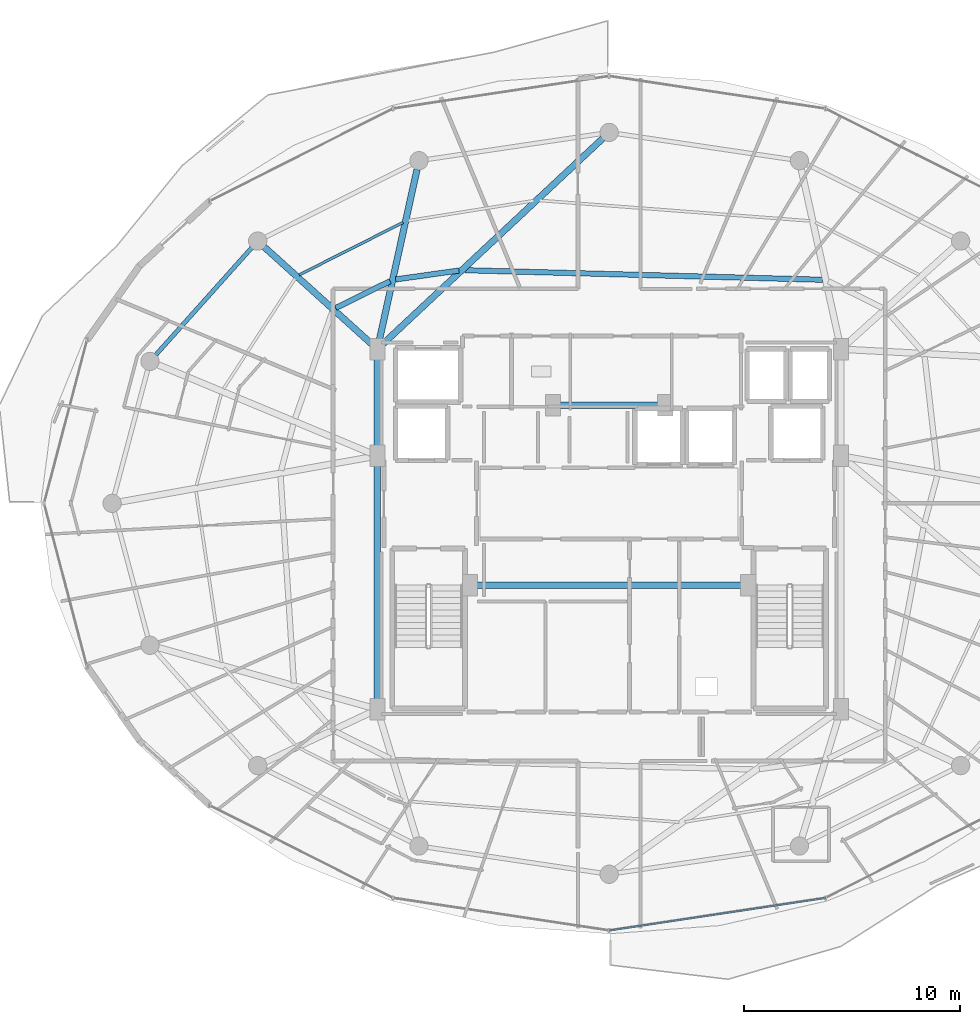
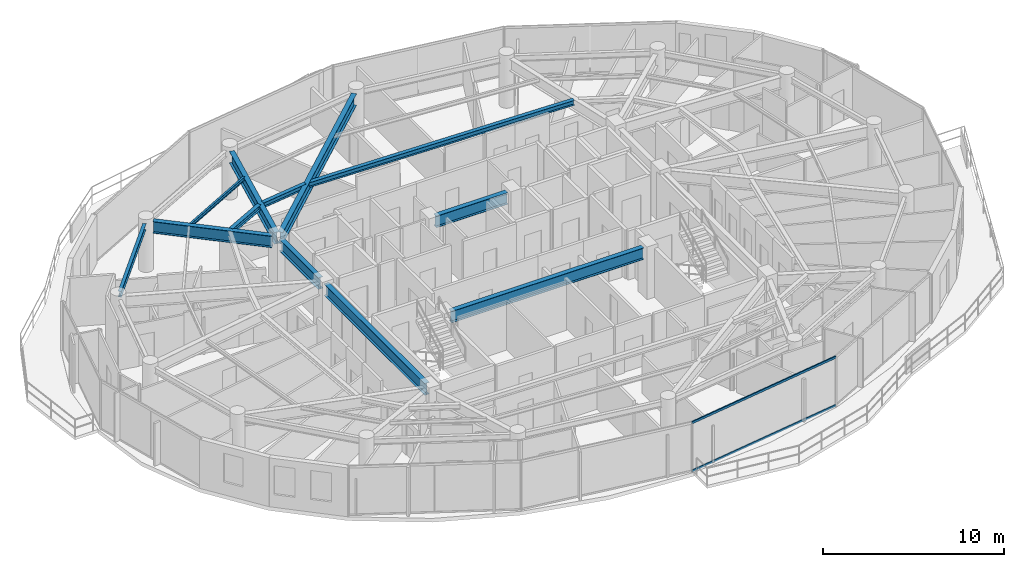
# One storey, part 9 of 30: 12 beams, 2 members, 1 element without a shape of its own.
"""IFC4 building model written with IfcOpenShell, lengths in metres."""

import ifcopenshell
import ifcopenshell.guid

model = None  # the IFC model being written
_history = None  # IfcOwnerHistory: only IFC2X3 demands one
_inside = {}  # id of a spatial element -> (the spatial element, [elements in it])
_under = {}  # id of a project, library or spatial element -> (it, [spatial elements below it])
_declared = {}  # id of a project -> (the project, [libraries it declares])
_typed = {}  # id of a type object -> (the type object, [elements of that type])
_made_of = {}  # id of a material, layer set ... -> (it, [elements and type objects made of it])


def new_model(schema):
    """Start an empty IFC model of exactly this schema.

    Asked for "IFC4X3", IfcOpenShell would pick the latest addendum, in which some entities
    have other attributes; the version numbers below select the first issue.
    IFC2X3 requires an IfcOwnerHistory on every rooted entity: one is made here for all.
    """
    global model, _history
    if schema == "IFC4X3":
        model = ifcopenshell.file(schema_version=(4, 3, 0, 0))
    else:
        model = ifcopenshell.file(schema=schema)
    _inside.clear()
    _under.clear()
    _declared.clear()
    _typed.clear()
    _made_of.clear()
    _history = None
    if model.schema == "IFC2X3":
        org = make("IfcOrganization", Name="unknown")
        user = make(
            "IfcPersonAndOrganization",
            ThePerson=make("IfcPerson", FamilyName="unknown"),
            TheOrganization=org,
        )
        app = make(
            "IfcApplication",
            ApplicationDeveloper=org,
            Version="unknown",
            ApplicationFullName="unknown",
            ApplicationIdentifier="unknown",
        )
        _history = make(
            "IfcOwnerHistory",
            OwningUser=user,
            OwningApplication=app,
            ChangeAction="ADDED",
            CreationDate=0,
        )
    return model


def make(cls, **values):
    """One entity of the class cls with the attributes given. An attribute that is None is left unset."""
    return model.create_entity(
        cls, **{name: value for name, value in values.items() if value is not None}
    )


def rooted(cls, **values):
    """An entity with a GlobalId (a new one), such as an element, a storey or a relation."""
    return make(cls, GlobalId=ifcopenshell.guid.new(), OwnerHistory=_history, **values)


def si_unit(unit_type, name, prefix=None):
    """IfcSIUnit, for example si_unit("LENGTHUNIT", "METRE", prefix="MILLI")."""
    return make("IfcSIUnit", UnitType=unit_type, Prefix=prefix, Name=name)


def assignment(units):
    """IfcUnitAssignment: the units of a project."""
    return None if units is None else make("IfcUnitAssignment", Units=units)


def point(xyz):
    """IfcCartesianPoint."""
    return None if xyz is None else make("IfcCartesianPoint", Coordinates=xyz)


def direction(xyz):
    """IfcDirection."""
    return None if xyz is None else make("IfcDirection", DirectionRatios=xyz)


def frame(location, z_axis=None, x_axis=None):
    """IfcAxis2Placement3D, a coordinate frame: its origin and axes. An axis left out is left unset."""
    return make(
        "IfcAxis2Placement3D",
        Location=point(location),
        Axis=direction(z_axis),
        RefDirection=direction(x_axis),
    )


def frame_2d(location, x_axis=None):
    """IfcAxis2Placement2D, a coordinate frame in the plane: its origin and x axis."""
    return make(
        "IfcAxis2Placement2D", Location=point(location), RefDirection=direction(x_axis)
    )


def origin():
    """The frame at (0, 0, 0) with its axes left unset."""
    return frame((0.0, 0.0, 0.0))


def origin_2d():
    """The frame at (0, 0) in the plane with its x axis left unset."""
    return frame_2d((0.0, 0.0))


def place(relative_to, where):
    """IfcLocalPlacement: puts the frame where relative to a parent placement (None: the world)."""
    return make(
        "IfcLocalPlacement", PlacementRelTo=relative_to, RelativePlacement=where
    )


def context(
    kind, dimensions, precision=None, world=None, true_north=None, identifier=None
):
    """IfcGeometricRepresentationContext, for example the 3D "Model" context."""
    return make(
        "IfcGeometricRepresentationContext",
        ContextIdentifier=identifier,
        ContextType=kind,
        CoordinateSpaceDimension=dimensions,
        Precision=precision,
        WorldCoordinateSystem=world,
        TrueNorth=true_north,
    )


def subcontext(parent, identifier, kind, view, scale=None):
    """IfcGeometricRepresentationSubContext, for example "Body" below "Model"."""
    return make(
        "IfcGeometricRepresentationSubContext",
        ContextIdentifier=identifier,
        ContextType=kind,
        ParentContext=parent,
        TargetScale=scale,
        TargetView=view,
    )


def project(units=None, contexts=None):
    """IfcProject with its units and contexts."""
    return rooted(
        "IfcProject",
        Name="project",
        RepresentationContexts=contexts,
        UnitsInContext=assignment(units),
    )


def spatial(cls, under=None, at=None, **own):
    """A site, building, storey or space (cls), placed at a placement, below another one or the project."""
    s = rooted(cls, ObjectPlacement=at, **own)
    if under is not None:
        _under.setdefault(under.id(), (under, []))[1].append(s)
    return s


def profile(cls, at=None, kind="AREA", **sizes):
    """A parametric profile (cls). Its sizes go by their IFC names, for example OverallWidth=200.0."""
    return make(cls, ProfileType=kind, Position=at, **sizes)


def hollow_rectangle(**sizes):
    """IfcRectangleHollowProfileDef."""
    return profile("IfcRectangleHollowProfileDef", **sizes)


def i_section(**sizes):
    """IfcIShapeProfileDef."""
    return profile("IfcIShapeProfileDef", **sizes)


def extrude(swept, where, along, depth):
    """IfcExtrudedAreaSolid: the profile swept, set in the frame where, extruded along a direction by depth."""
    return make(
        "IfcExtrudedAreaSolid",
        SweptArea=swept,
        Position=where,
        ExtrudedDirection=direction(along),
        Depth=depth,
    )


def shape(context_of_items, identifier, shape_type, items):
    """IfcShapeRepresentation: the items that make up one representation, for example the "Body"."""
    return make(
        "IfcShapeRepresentation",
        ContextOfItems=context_of_items,
        RepresentationIdentifier=identifier,
        RepresentationType=shape_type,
        Items=items,
    )


def material(Name=None, Category=None):
    """IfcMaterial."""
    return make("IfcMaterial", Name=Name, Category=Category)


def material_profile(
    of_material, cross_section, Name=None, Category=None, Priority=None
):
    """IfcMaterialProfile: a cross section and its material."""
    return make(
        "IfcMaterialProfile",
        Name=Name,
        Material=of_material,
        Profile=cross_section,
        Priority=Priority,
        Category=Category,
    )


def profile_set(profiles, Name=None, composite=None):
    """IfcMaterialProfileSet."""
    return make(
        "IfcMaterialProfileSet",
        Name=Name,
        MaterialProfiles=profiles,
        CompositeProfile=composite,
    )


def made_of(thing, what):
    """Note that an element or type object is made of a material, layer set ...; save() writes the relation."""
    if what is not None:
        _made_of.setdefault(what.id(), (what, []))[1].append(thing)
    return thing


def type_object(cls, material=None, **own):
    """A type object (cls), such as IfcWallType, which elements share."""
    return made_of(rooted(cls, **own), material)


def element(
    cls,
    number,
    at=None,
    inside=None,
    cuts=None,
    type_object=None,
    material=None,
    context=None,
    identifier="Body",
    shape_type=None,
    held_by="IfcProductDefinitionShape",
    body=None,
    shapes=None,
    **own,
):
    """One element of the class cls, such as IfcWall. Its Tag is "e" and its number.

    at: its placement. inside: the storey or other place that contains it. cuts: it is an
    opening in that element (IfcRelVoidsElement). A single representation is given by context,
    identifier, shape_type and body (its items); several are given by shapes. held_by: the class
    of the entity that holds the representations. save() writes the other relations.
    """
    e = rooted(cls, Tag="e%d" % number, ObjectPlacement=at, **own)
    if body is not None:
        shapes = [shape(context, identifier, shape_type, body)]
    if shapes is not None:
        e.Representation = make(held_by, Representations=shapes)
    if inside is not None:
        _inside.setdefault(inside.id(), (inside, []))[1].append(e)
    if cuts is not None:
        rooted(
            "IfcRelVoidsElement", RelatingBuildingElement=cuts, RelatedOpeningElement=e
        )
    if type_object is not None:
        _typed.setdefault(type_object.id(), (type_object, []))[1].append(e)
    return made_of(e, material)


def aggregate(whole, parts):
    """IfcRelAggregates: a whole, such as a stair, and the parts it consists of."""
    return rooted("IfcRelAggregates", RelatingObject=whole, RelatedObjects=parts)


def save(model, path):
    """Write the relations noted so far, then the file.

    IfcRelAggregates (storeys below a building ...), IfcRelContainedInSpatialStructure (elements
    in a storey), IfcRelDefinesByType, IfcRelAssociatesMaterial and IfcRelDeclares: one each for
    every whole, place, type object, material and project.
    """
    for whole, parts in _under.values():
        aggregate(whole, parts)
    for where, things in _inside.values():
        rooted(
            "IfcRelContainedInSpatialStructure",
            RelatedElements=things,
            RelatingStructure=where,
        )
    for kind, things in _typed.values():
        rooted("IfcRelDefinesByType", RelatedObjects=things, RelatingType=kind)
    for what, things in _made_of.values():
        rooted("IfcRelAssociatesMaterial", RelatedObjects=things, RelatingMaterial=what)
    for by, libraries in _declared.values():
        rooted("IfcRelDeclares", RelatingContext=by, RelatedDefinitions=libraries)
    model.write(path)


model = new_model("IFC4")

# Units and contexts
model_context = context("Model", 3, precision=1e-05, world=origin(), true_north=direction((0.0, 1.0)))
body_context = subcontext(model_context, "Body", "Model", "MODEL_VIEW")
ifc_project = project(units=[si_unit("LENGTHUNIT", "METRE"), si_unit("AREAUNIT", "SQUARE_METRE"), si_unit("VOLUMEUNIT", "CUBIC_METRE"), si_unit("PLANEANGLEUNIT", "RADIAN"), si_unit("MASSUNIT", "GRAM", prefix="KILO")], contexts=[model_context])

# Site, building, storey
site_placement = place(None, origin())
site = spatial("IfcSite", under=ifc_project, at=site_placement, CompositionType="ELEMENT")
building_placement = place(site_placement, origin())
building = spatial("IfcBuilding", under=site, at=building_placement, Name="Vorneva Point Tower", CompositionType="ELEMENT")
storey_placement = place(building_placement, frame((0.0, 0.0, 262.64990234375)))
storey = spatial("IfcBuildingStorey", under=building, at=storey_placement, Name="L71", CompositionType="ELEMENT", Elevation=262.64990234375)

# Beams
ifc_material_1 = material(Name="Steel S355", Category="steel")
ifc_material_profile_1 = material_profile(ifc_material_1, i_section(OverallWidth=0.300048828125, OverallDepth=0.7880859375, WebThickness=0.014404296875, FlangeThickness=0.02197265625, at=origin_2d()), Name="80Sh1")
ifc_profile_set_1 = profile_set([ifc_material_profile_1], Name="Steel S355")
beam_type_1 = type_object("IfcBeamType", Name="BM-GRD-80Sh1", PredefinedType="USERDEFINED", material=ifc_profile_set_1)
beam_1_placement = place(storey_placement, frame((37.6982421875, 42.91796875, 2.89599609375), z_axis=(-0.730485790946, -0.682927894602, 0.0), x_axis=(0.682927894602, -0.730485790946, 0.0)))
element("IfcBeam", 1, at=beam_1_placement, inside=storey, type_object=beam_type_1, Name="L71 Radial Primary Girder 05", ObjectType="GIRDER", PredefinedType="USERDEFINED", context=body_context, shape_type="SweptSolid", body=[
    extrude(i_section(OverallWidth=0.300048828125, OverallDepth=0.7880859375, WebThickness=0.014404296875, FlangeThickness=0.02197265625, at=origin_2d()), origin(), (0.0, 0.0, 1.0), 13.963134765625),
])
beam_2_placement = place(storey_placement, frame((29.090087890625, 41.4873046875, 2.89599609375), z_axis=(-0.215520742957, -0.976499262342, 0.0), x_axis=(0.976499262342, -0.215520742957, 0.0)))
element("IfcBeam", 2, at=beam_2_placement, inside=storey, type_object=beam_type_1, Name="L71 Radial Primary Girder 06", ObjectType="GIRDER", PredefinedType="USERDEFINED", context=body_context, shape_type="SweptSolid", body=[
    extrude(i_section(OverallWidth=0.300048828125, OverallDepth=0.7880859375, WebThickness=0.014404296875, FlangeThickness=0.02197265625, at=origin_2d()), origin(), (0.0, 0.0, 1.0), 8.197998046875),
])
beam_3_placement = place(storey_placement, frame((22.0078125, 37.885498046875, 2.89599609375), z_axis=(0.7420671051, -0.670325601128, 0.0), x_axis=(0.670325601128, 0.7420671051, 0.0)))
element("IfcBeam", 3, at=beam_3_placement, inside=storey, type_object=beam_type_1, Name="L71 Radial Primary Girder 07", ObjectType="GIRDER", PredefinedType="USERDEFINED", context=body_context, shape_type="SweptSolid", body=[
    extrude(i_section(OverallWidth=0.300048828125, OverallDepth=0.7880859375, WebThickness=0.014404296875, FlangeThickness=0.02197265625, at=origin_2d()), origin(), (0.0, 0.0, 1.0), 6.724365234375),
])
beam_4_placement = place(storey_placement, frame((27.25, 16.77001953125, 2.89599609375), z_axis=(0.0, 1.0, 0.0), x_axis=(-1.0, 0.0, 0.0)))
element("IfcBeam", 4, at=beam_4_placement, inside=storey, type_object=beam_type_1, Name="L71 Core Tie Girder CT1", ObjectType="GIRDER", PredefinedType="USERDEFINED", context=body_context, shape_type="SweptSolid", body=[
    extrude(i_section(OverallWidth=0.300048828125, OverallDepth=0.7880859375, WebThickness=0.014404296875, FlangeThickness=0.02197265625, at=origin_2d()), origin(), (0.0, 0.0, 1.0), 11.10986328125),
])
beam_5_placement = place(storey_placement, frame((27.25, 28.52001953125, 2.89599609375), z_axis=(0.0, 1.0, 0.0), x_axis=(-1.0, 0.0, 0.0)))
element("IfcBeam", 5, at=beam_5_placement, inside=storey, type_object=beam_type_1, Name="L71 Core Tie Girder CT2", ObjectType="GIRDER", PredefinedType="USERDEFINED", context=body_context, shape_type="SweptSolid", body=[
    extrude(i_section(OverallWidth=0.300048828125, OverallDepth=0.7880859375, WebThickness=0.014404296875, FlangeThickness=0.02197265625, at=origin_2d()), origin(), (0.0, 0.0, 1.0), 4.31005859375),
])
beam_6_placement = place(storey_placement, frame((35.719970703125, 30.550048828125, 2.89599609375), z_axis=(1.0, 0.0, 0.0), x_axis=(0.0, 1.0, 0.0)))
element("IfcBeam", 6, at=beam_6_placement, inside=storey, type_object=beam_type_1, Name="L71 Core Tie Girder CT8", ObjectType="GIRDER", PredefinedType="USERDEFINED", context=body_context, shape_type="SweptSolid", body=[
    extrude(i_section(OverallWidth=0.300048828125, OverallDepth=0.7880859375, WebThickness=0.014404296875, FlangeThickness=0.02197265625, at=origin_2d()), origin(), (0.0, 0.0, 1.0), 4.56005859375),
])
beam_7_placement = place(storey_placement, frame((31.8701171875, 22.199951171875, 2.89599609375), z_axis=(1.0, 0.0, 0.0), x_axis=(0.0, 1.0, 0.0)))
element("IfcBeam", 7, at=beam_7_placement, inside=storey, type_object=beam_type_1, Name="L71 Core Tie Girder CT7", ObjectType="GIRDER", PredefinedType="USERDEFINED", context=body_context, shape_type="SweptSolid", body=[
    extrude(i_section(OverallWidth=0.300048828125, OverallDepth=0.7880859375, WebThickness=0.014404296875, FlangeThickness=0.02197265625, at=origin_2d()), origin(), (0.0, 0.0, 1.0), 12.259765625),
])
ifc_material_profile_2 = material_profile(ifc_material_1, i_section(OverallWidth=0.1240234375, OverallDepth=0.248046875, WebThickness=0.0048828125, FlangeThickness=0.008056640625, at=origin_2d()), Name="25B1")
ifc_profile_set_2 = profile_set([ifc_material_profile_2], Name="Steel S355")
beam_type_2 = type_object("IfcBeamType", Name="BM-JST-25B1", PredefinedType="JOIST", material=ifc_profile_set_2)
beam_8_placement = place(storey_placement, frame((28.43701171875, 39.023681640625, 3.166015625), z_axis=(-0.892661963026, -0.450726768416, 0.0), x_axis=(0.450726768416, -0.892661963026, 0.0)))
element("IfcBeam", 8, at=beam_8_placement, inside=storey, type_object=beam_type_2, Name="L71 Secondary Floor Beam 1.06", PredefinedType="JOIST", context=body_context, shape_type="SweptSolid", body=[
    extrude(i_section(OverallWidth=0.1240234375, OverallDepth=0.248046875, WebThickness=0.0048828125, FlangeThickness=0.008056640625, at=origin_2d()), origin(), (0.0, 0.0, 1.0), 5.387451171875),
])
ifc_material_profile_3 = material_profile(ifc_material_1, i_section(OverallWidth=0.2490234375, OverallDepth=0.333984375, WebThickness=0.008056640625, FlangeThickness=0.010986328125, at=origin_2d()), Name="35Sh1")
ifc_profile_set_3 = profile_set([ifc_material_profile_3], Name="Steel S355")
beam_type_3 = type_object("IfcBeamType", Name="BM-SEC-35Sh1", PredefinedType="BEAM", material=ifc_profile_set_3)
beam_9_placement = place(storey_placement, frame((47.902587890625, 36.36767578125, 3.123046875), z_axis=(-0.99964288127, 0.026722835299, 0.0), x_axis=(-0.026722835299, -0.99964288127, 0.0)))
element("IfcBeam", 9, at=beam_9_placement, inside=storey, type_object=beam_type_3, Name="L71 Secondary Floor Beam 2.04", PredefinedType="BEAM", context=body_context, shape_type="SweptSolid", body=[
    extrude(i_section(OverallWidth=0.2490234375, OverallDepth=0.333984375, WebThickness=0.008056640625, FlangeThickness=0.010986328125, at=origin_2d()), origin(), (0.0, 0.0, 1.0), 16.60009765625),
])
beam_10_placement = place(storey_placement, frame((31.03369140625, 36.7958984375, 3.123046875), z_axis=(-0.990269518914, -0.139162782056, 0.0), x_axis=(0.139162782056, -0.990269518914, 0.0)))
element("IfcBeam", 10, at=beam_10_placement, inside=storey, type_object=beam_type_3, Name="L71 Secondary Floor Beam 2.05", PredefinedType="BEAM", context=body_context, shape_type="SweptSolid", body=[
    extrude(i_section(OverallWidth=0.2490234375, OverallDepth=0.333984375, WebThickness=0.008056640625, FlangeThickness=0.010986328125, at=origin_2d()), origin(), (0.0, 0.0, 1.0), 2.966552734375),
])
beam_11_placement = place(storey_placement, frame((27.835693359375, 36.302734375, 3.123046875), z_axis=(-0.896474982162, -0.443094353786, 0.0), x_axis=(0.443094353786, -0.896474982162, 0.0)))
element("IfcBeam", 11, at=beam_11_placement, inside=storey, type_object=beam_type_3, Name="L71 Secondary Floor Beam 2.06", PredefinedType="BEAM", context=body_context, shape_type="SweptSolid", body=[
    extrude(i_section(OverallWidth=0.2490234375, OverallDepth=0.333984375, WebThickness=0.008056640625, FlangeThickness=0.010986328125, at=origin_2d()), origin(), (0.0, 0.0, 1.0), 2.80078125),
])
ifc_material_profile_4 = material_profile(ifc_material_1, i_section(OverallWidth=0.198974609375, OverallDepth=0.39599609375, WebThickness=0.007080078125, FlangeThickness=0.010986328125, at=origin_2d()), Name="40B1")
ifc_profile_set_4 = profile_set([ifc_material_profile_4], Name="Steel S355")
beam_type_4 = type_object("IfcBeamType", Name="BM-SPN-40B1", PredefinedType="SPANDREL", material=ifc_profile_set_4)
beam_12_placement = place(storey_placement, frame((21.427734375, 37.856689453125, 3.092041015625), z_axis=(-0.667108282638, -0.744960763554, 0.0), x_axis=(0.744960763554, -0.667108282638, 0.0)))
element("IfcBeam", 12, at=beam_12_placement, inside=storey, type_object=beam_type_4, Name="L71 Perimeter Spandrel Ring Beam 07", PredefinedType="SPANDREL", context=body_context, shape_type="SweptSolid", body=[
    extrude(i_section(OverallWidth=0.198974609375, OverallDepth=0.39599609375, WebThickness=0.007080078125, FlangeThickness=0.010986328125, at=origin_2d()), origin(), (0.0, 0.0, 1.0), 6.670166015625),
])

# Curtain wall, members
ifc_material_2 = material(Name="Pale anodised aluminium", Category="aluminium")
curtain_wall_type = type_object("IfcCurtainWallType", Name="CW-RES-SYS", PredefinedType="NOTDEFINED", material=ifc_material_2)
curtain_wall_placement = place(storey_placement, origin())
curtain_wall = element("IfcCurtainWall", 13, at=curtain_wall_placement, inside=storey, type_object=curtain_wall_type, Name="L71 Unitised Curtain Wall CW-L71-R04", PredefinedType="NOTDEFINED")
ifc_material_profile_5 = material_profile(ifc_material_2, hollow_rectangle(XDim=0.074951171875, YDim=0.14990234375, WallThickness=0.00390625, at=origin_2d()), Name="AL-TRN 150x75x4")
ifc_profile_set_5 = profile_set([ifc_material_profile_5], Name="Pale anodised aluminium")
member_type = type_object("IfcMemberType", Name="CW-TRN-150", PredefinedType="USERDEFINED", material=ifc_profile_set_5)
member_1_placement = place(storey_placement, frame((38.0, 6.18994140625, 0.02001953125), z_axis=(0.988876929856, 0.148736066907, 0.0), x_axis=(-0.148736066907, 0.988876929856, 0.0)))
member_1 = element("IfcMember", 14, at=member_1_placement, type_object=member_type, Name="CW-L71-R04 Transom 03.1", ObjectType="TRANSOM", PredefinedType="USERDEFINED", context=body_context, shape_type="SweptSolid", body=[
    extrude(hollow_rectangle(XDim=0.074951171875, YDim=0.14990234375, WallThickness=0.00390625, at=origin_2d()), origin(), (0.0, 0.0, 1.0), 10.13916015625),
])
member_2_placement = place(storey_placement, frame((38.0, 6.18994140625, 3.27001953125), z_axis=(0.988876929856, 0.148736066907, 0.0), x_axis=(-0.148736066907, 0.988876929856, 0.0)))
member_2 = element("IfcMember", 15, at=member_2_placement, type_object=member_type, Name="CW-L71-R04 Transom 03.2", ObjectType="TRANSOM", PredefinedType="USERDEFINED", context=body_context, shape_type="SweptSolid", body=[
    extrude(hollow_rectangle(XDim=0.074951171875, YDim=0.14990234375, WallThickness=0.00390625, at=origin_2d()), origin(), (0.0, 0.0, 1.0), 10.13916015625),
])
aggregate(curtain_wall, [member_1, member_2])

save(model, "model.ifc")
